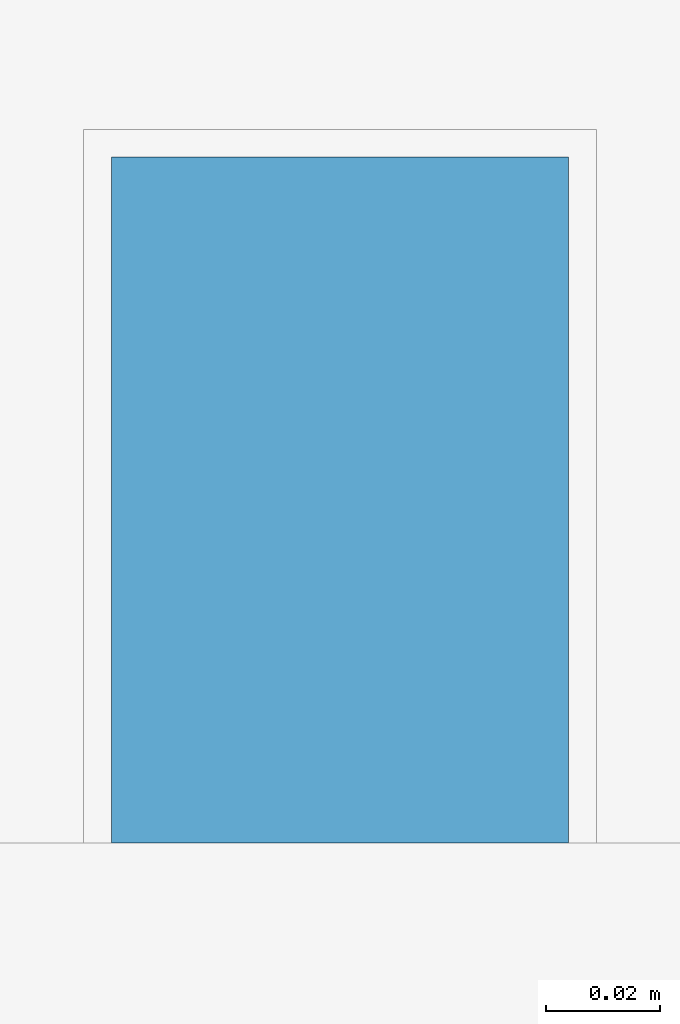
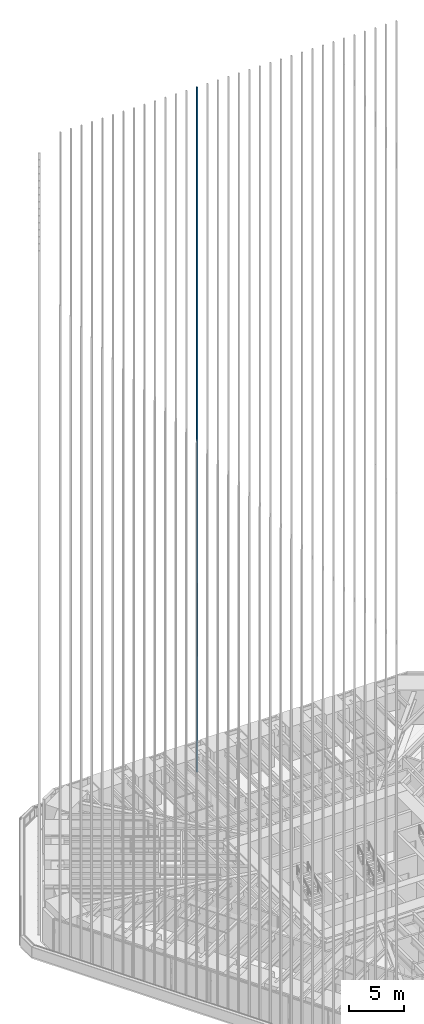
# One storey, part 169 of 238: 1 member, 1 element without a shape of its own.
"""IFC4 building model written with IfcOpenShell, lengths in metres."""

from ifc_helpers import new_model, si_unit, direction, frame, origin, origin_2d, place, context, subcontext, project, spatial, rectangle, extrude, material, material_profile, profile_set, type_object, element, aggregate, save


model = new_model("IFC4")

# Units and contexts
model_context = context("Model", 3, precision=1e-05, world=origin(), true_north=direction((0.0, 1.0)))
body_context = subcontext(model_context, "Body", "Model", "MODEL_VIEW")
ifc_project = project(units=[si_unit("LENGTHUNIT", "METRE"), si_unit("AREAUNIT", "SQUARE_METRE"), si_unit("VOLUMEUNIT", "CUBIC_METRE"), si_unit("PLANEANGLEUNIT", "RADIAN"), si_unit("MASSUNIT", "GRAM", prefix="KILO")], contexts=[model_context])

# Site, building, storey
site_placement = place(None, origin())
site = spatial("IfcSite", under=ifc_project, at=site_placement, CompositionType="ELEMENT")
building_placement = place(site_placement, origin())
building = spatial("IfcBuilding", under=site, at=building_placement, Name="Sandreach Pilgrim Tower", CompositionType="ELEMENT")
storey_placement = place(building_placement, frame((0.0, 0.0, 96.800048828125)))
storey = spatial("IfcBuildingStorey", under=building, at=storey_placement, Name="L23", CompositionType="ELEMENT", Elevation=96.800048828125)

# Curtain wall, member
ifc_material_1 = material(Name="Aluminium framed curtain wall", Category="aluminium")
curtain_wall_type = type_object("IfcCurtainWallType", Name="Hotel tower curtain wall", PredefinedType="NOTDEFINED", material=ifc_material_1)
curtain_wall_placement = place(storey_placement, origin())
curtain_wall = element("IfcCurtainWall", 1, at=curtain_wall_placement, inside=storey, type_object=curtain_wall_type, Name="CW-2 L23 N", PredefinedType="NOTDEFINED")
ifc_material_2 = material(Name="Extruded terracotta on aluminium core", Category="masonry")
ifc_material_profile = material_profile(ifc_material_2, rectangle(XDim=0.080078125, YDim=0.1201171875, at=origin_2d()), Name="TBN 80X120")
ifc_profile_set = profile_set([ifc_material_profile], Name="Extruded terracotta on aluminium core")
member_type = type_object("IfcMemberType", Name="Terracotta baguette north", PredefinedType="USERDEFINED", material=ifc_profile_set)
member_placement = place(storey_placement, frame((-3.298095703125, 22.853759765625, 0.0), z_axis=(0.0, 0.0, 1.0), x_axis=(1.0, 0.0, 0.0)))
member = element("IfcMember", 2, at=member_placement, type_object=member_type, Name="Baguette Z2 N14", ObjectType="BAGUETTE", PredefinedType="USERDEFINED", context=body_context, shape_type="SweptSolid", body=[
    extrude(rectangle(XDim=0.080078125, YDim=0.1201171875, at=origin_2d()), origin(), (0.0, 0.0, 1.0), 75.83984375),
])
aggregate(curtain_wall, [member])

save(model, "model.ifc")
